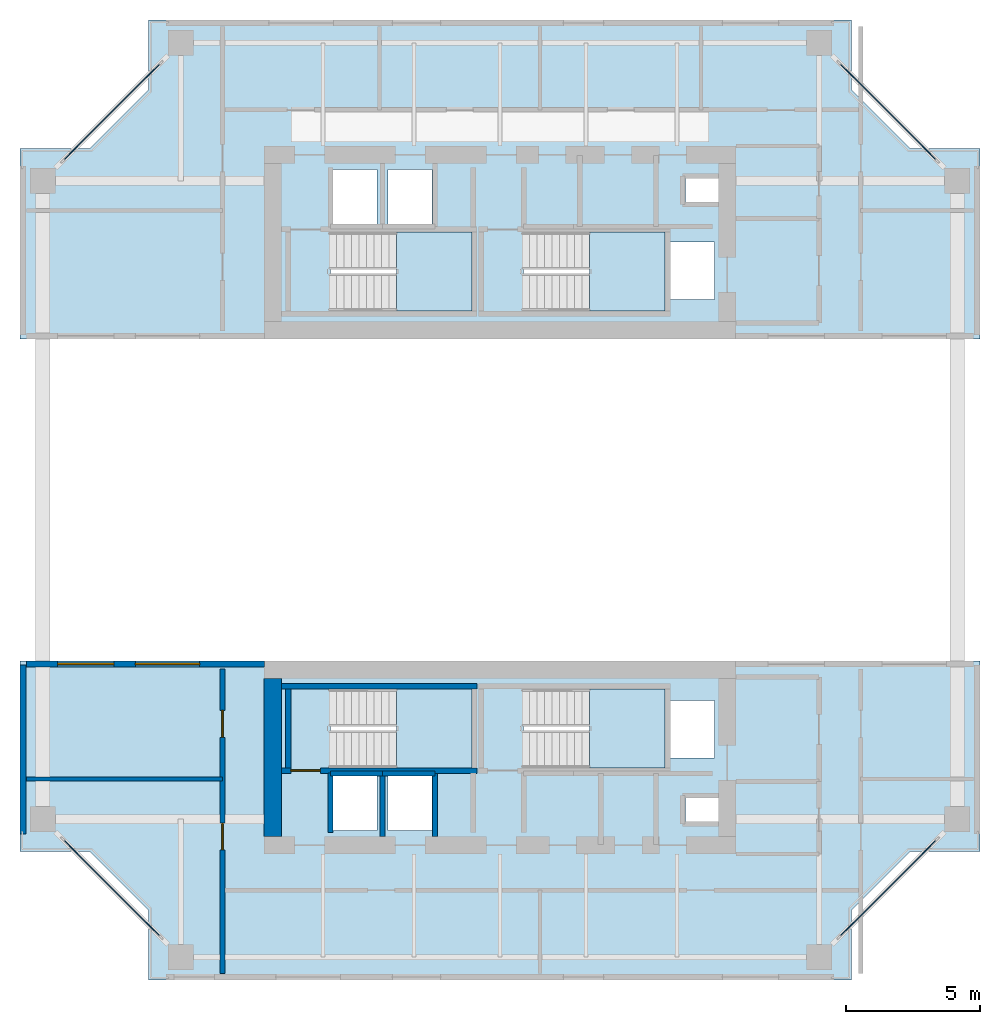
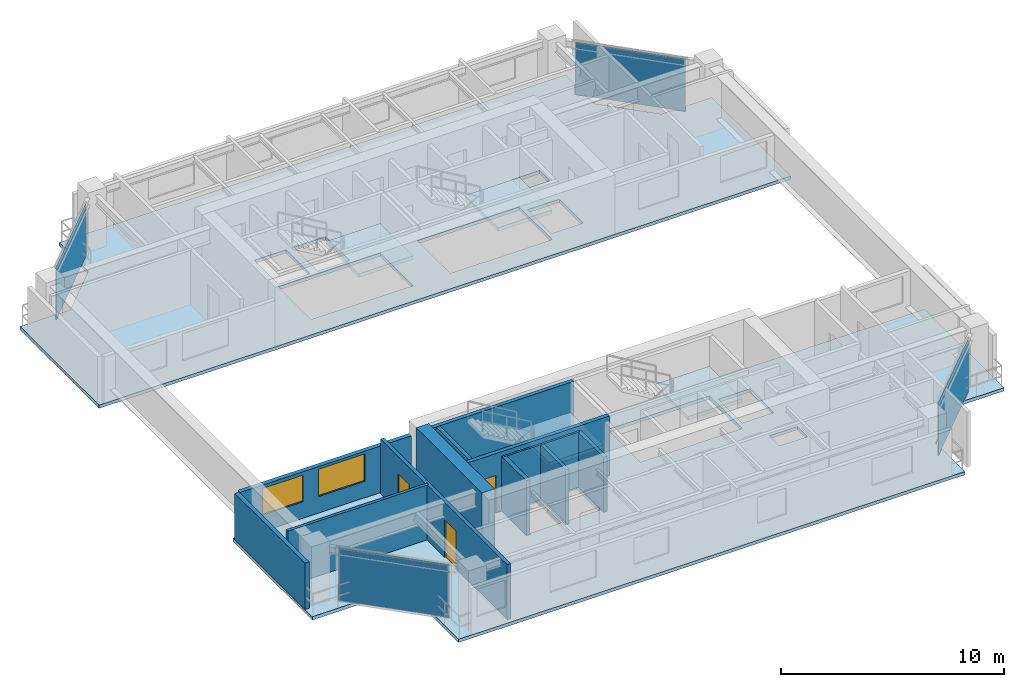
# One storey, part 6 of 12: 13 walls, 6 slabs, 4 plates, 3 doors, 2 windows, 5 openings, 8 elements without a shape of their own.
"""IFC4 building model written with IfcOpenShell, lengths in metres."""

import ifcopenshell
import ifcopenshell.guid

model = None  # the IFC model being written
_history = None  # IfcOwnerHistory: only IFC2X3 demands one
_inside = {}  # id of a spatial element -> (the spatial element, [elements in it])
_under = {}  # id of a project, library or spatial element -> (it, [spatial elements below it])
_declared = {}  # id of a project -> (the project, [libraries it declares])
_typed = {}  # id of a type object -> (the type object, [elements of that type])
_made_of = {}  # id of a material, layer set ... -> (it, [elements and type objects made of it])


def new_model(schema):
    """Start an empty IFC model of exactly this schema.

    Asked for "IFC4X3", IfcOpenShell would pick the latest addendum, in which some entities
    have other attributes; the version numbers below select the first issue.
    IFC2X3 requires an IfcOwnerHistory on every rooted entity: one is made here for all.
    """
    global model, _history
    if schema == "IFC4X3":
        model = ifcopenshell.file(schema_version=(4, 3, 0, 0))
    else:
        model = ifcopenshell.file(schema=schema)
    _inside.clear()
    _under.clear()
    _declared.clear()
    _typed.clear()
    _made_of.clear()
    _history = None
    if model.schema == "IFC2X3":
        org = make("IfcOrganization", Name="unknown")
        user = make(
            "IfcPersonAndOrganization",
            ThePerson=make("IfcPerson", FamilyName="unknown"),
            TheOrganization=org,
        )
        app = make(
            "IfcApplication",
            ApplicationDeveloper=org,
            Version="unknown",
            ApplicationFullName="unknown",
            ApplicationIdentifier="unknown",
        )
        _history = make(
            "IfcOwnerHistory",
            OwningUser=user,
            OwningApplication=app,
            ChangeAction="ADDED",
            CreationDate=0,
        )
    return model


def make(cls, **values):
    """One entity of the class cls with the attributes given. An attribute that is None is left unset."""
    return model.create_entity(
        cls, **{name: value for name, value in values.items() if value is not None}
    )


def rooted(cls, **values):
    """An entity with a GlobalId (a new one), such as an element, a storey or a relation."""
    return make(cls, GlobalId=ifcopenshell.guid.new(), OwnerHistory=_history, **values)


def si_unit(unit_type, name, prefix=None):
    """IfcSIUnit, for example si_unit("LENGTHUNIT", "METRE", prefix="MILLI")."""
    return make("IfcSIUnit", UnitType=unit_type, Prefix=prefix, Name=name)


def assignment(units):
    """IfcUnitAssignment: the units of a project."""
    return None if units is None else make("IfcUnitAssignment", Units=units)


def point(xyz):
    """IfcCartesianPoint."""
    return None if xyz is None else make("IfcCartesianPoint", Coordinates=xyz)


def direction(xyz):
    """IfcDirection."""
    return None if xyz is None else make("IfcDirection", DirectionRatios=xyz)


def frame(location, z_axis=None, x_axis=None):
    """IfcAxis2Placement3D, a coordinate frame: its origin and axes. An axis left out is left unset."""
    return make(
        "IfcAxis2Placement3D",
        Location=point(location),
        Axis=direction(z_axis),
        RefDirection=direction(x_axis),
    )


def frame_2d(location, x_axis=None):
    """IfcAxis2Placement2D, a coordinate frame in the plane: its origin and x axis."""
    return make(
        "IfcAxis2Placement2D", Location=point(location), RefDirection=direction(x_axis)
    )


def origin():
    """The frame at (0, 0, 0) with its axes left unset."""
    return frame((0.0, 0.0, 0.0))


def origin_2d():
    """The frame at (0, 0) in the plane with its x axis left unset."""
    return frame_2d((0.0, 0.0))


def place(relative_to, where):
    """IfcLocalPlacement: puts the frame where relative to a parent placement (None: the world)."""
    return make(
        "IfcLocalPlacement", PlacementRelTo=relative_to, RelativePlacement=where
    )


def context(
    kind, dimensions, precision=None, world=None, true_north=None, identifier=None
):
    """IfcGeometricRepresentationContext, for example the 3D "Model" context."""
    return make(
        "IfcGeometricRepresentationContext",
        ContextIdentifier=identifier,
        ContextType=kind,
        CoordinateSpaceDimension=dimensions,
        Precision=precision,
        WorldCoordinateSystem=world,
        TrueNorth=true_north,
    )


def subcontext(parent, identifier, kind, view, scale=None):
    """IfcGeometricRepresentationSubContext, for example "Body" below "Model"."""
    return make(
        "IfcGeometricRepresentationSubContext",
        ContextIdentifier=identifier,
        ContextType=kind,
        ParentContext=parent,
        TargetScale=scale,
        TargetView=view,
    )


def project(units=None, contexts=None):
    """IfcProject with its units and contexts."""
    return rooted(
        "IfcProject",
        Name="project",
        RepresentationContexts=contexts,
        UnitsInContext=assignment(units),
    )


def spatial(cls, under=None, at=None, **own):
    """A site, building, storey or space (cls), placed at a placement, below another one or the project."""
    s = rooted(cls, ObjectPlacement=at, **own)
    if under is not None:
        _under.setdefault(under.id(), (under, []))[1].append(s)
    return s


def polyline(points):
    """IfcPolyline through the points."""
    return make("IfcPolyline", Points=[point(p) for p in points])


def profile(cls, at=None, kind="AREA", **sizes):
    """A parametric profile (cls). Its sizes go by their IFC names, for example OverallWidth=200.0."""
    return make(cls, ProfileType=kind, Position=at, **sizes)


def rectangle(**sizes):
    """IfcRectangleProfileDef."""
    return profile("IfcRectangleProfileDef", **sizes)


def outline(outer, holes=None, kind="AREA"):
    """IfcArbitraryClosedProfileDef: a profile drawn as a closed curve; with holes, ...WithVoids."""
    if holes is None:
        return make("IfcArbitraryClosedProfileDef", ProfileType=kind, OuterCurve=outer)
    return make(
        "IfcArbitraryProfileDefWithVoids",
        ProfileType=kind,
        OuterCurve=outer,
        InnerCurves=holes,
    )


def extrude(swept, where, along, depth):
    """IfcExtrudedAreaSolid: the profile swept, set in the frame where, extruded along a direction by depth."""
    return make(
        "IfcExtrudedAreaSolid",
        SweptArea=swept,
        Position=where,
        ExtrudedDirection=direction(along),
        Depth=depth,
    )


def shape(context_of_items, identifier, shape_type, items):
    """IfcShapeRepresentation: the items that make up one representation, for example the "Body"."""
    return make(
        "IfcShapeRepresentation",
        ContextOfItems=context_of_items,
        RepresentationIdentifier=identifier,
        RepresentationType=shape_type,
        Items=items,
    )


def source(mapping_origin, context_of_items, identifier, shape_type, items):
    """IfcRepresentationMap: a shape defined once, which mapped items show again and again."""
    return make(
        "IfcRepresentationMap",
        MappingOrigin=mapping_origin,
        MappedRepresentation=shape(context_of_items, identifier, shape_type, items),
    )


def transform(
    local_origin,
    x_axis=None,
    y_axis=None,
    z_axis=None,
    scale=None,
    scale2=None,
    scale3=None,
    uniform=True,
):
    """IfcCartesianTransformationOperator3D, or its non-uniform kind. x_axis, y_axis, z_axis: its Axis1, 2, 3."""
    if uniform:
        return make(
            "IfcCartesianTransformationOperator3D",
            Axis1=direction(x_axis),
            Axis2=direction(y_axis),
            LocalOrigin=point(local_origin),
            Scale=scale,
            Axis3=direction(z_axis),
        )
    return make(
        "IfcCartesianTransformationOperator3DnonUniform",
        Axis1=direction(x_axis),
        Axis2=direction(y_axis),
        LocalOrigin=point(local_origin),
        Scale=scale,
        Axis3=direction(z_axis),
        Scale2=scale2,
        Scale3=scale3,
    )


def mapped(mapping_source, mapping_target):
    """IfcMappedItem: shows the shape of a source again, moved by a transform."""
    return make(
        "IfcMappedItem", MappingSource=mapping_source, MappingTarget=mapping_target
    )


def material(Name=None, Category=None):
    """IfcMaterial."""
    return make("IfcMaterial", Name=Name, Category=Category)


def layer(
    of_material, thickness, ventilated=None, Name=None, Category=None, Priority=None
):
    """IfcMaterialLayer: one layer of a wall or slab, of a material (None: an air gap)."""
    return make(
        "IfcMaterialLayer",
        Material=of_material,
        LayerThickness=thickness,
        IsVentilated=ventilated,
        Name=Name,
        Category=Category,
        Priority=Priority,
    )


def layer_set(layers, Name=None):
    """IfcMaterialLayerSet."""
    return make("IfcMaterialLayerSet", MaterialLayers=layers, LayerSetName=Name)


def made_of(thing, what):
    """Note that an element or type object is made of a material, layer set ...; save() writes the relation."""
    if what is not None:
        _made_of.setdefault(what.id(), (what, []))[1].append(thing)
    return thing


def type_object(cls, material=None, **own):
    """A type object (cls), such as IfcWallType, which elements share."""
    return made_of(rooted(cls, **own), material)


def element(
    cls,
    number,
    at=None,
    inside=None,
    cuts=None,
    type_object=None,
    material=None,
    context=None,
    identifier="Body",
    shape_type=None,
    held_by="IfcProductDefinitionShape",
    body=None,
    shapes=None,
    **own,
):
    """One element of the class cls, such as IfcWall. Its Tag is "e" and its number.

    at: its placement. inside: the storey or other place that contains it. cuts: it is an
    opening in that element (IfcRelVoidsElement). A single representation is given by context,
    identifier, shape_type and body (its items); several are given by shapes. held_by: the class
    of the entity that holds the representations. save() writes the other relations.
    """
    e = rooted(cls, Tag="e%d" % number, ObjectPlacement=at, **own)
    if body is not None:
        shapes = [shape(context, identifier, shape_type, body)]
    if shapes is not None:
        e.Representation = make(held_by, Representations=shapes)
    if inside is not None:
        _inside.setdefault(inside.id(), (inside, []))[1].append(e)
    if cuts is not None:
        rooted(
            "IfcRelVoidsElement", RelatingBuildingElement=cuts, RelatedOpeningElement=e
        )
    if type_object is not None:
        _typed.setdefault(type_object.id(), (type_object, []))[1].append(e)
    return made_of(e, material)


def fill(opening, filler):
    """IfcRelFillsElement: the door or window that sits in an opening."""
    return rooted(
        "IfcRelFillsElement",
        RelatingOpeningElement=opening,
        RelatedBuildingElement=filler,
    )


def aggregate(whole, parts):
    """IfcRelAggregates: a whole, such as a stair, and the parts it consists of."""
    return rooted("IfcRelAggregates", RelatingObject=whole, RelatedObjects=parts)


def save(model, path):
    """Write the relations noted so far, then the file.

    IfcRelAggregates (storeys below a building ...), IfcRelContainedInSpatialStructure (elements
    in a storey), IfcRelDefinesByType, IfcRelAssociatesMaterial and IfcRelDeclares: one each for
    every whole, place, type object, material and project.
    """
    for whole, parts in _under.values():
        aggregate(whole, parts)
    for where, things in _inside.values():
        rooted(
            "IfcRelContainedInSpatialStructure",
            RelatedElements=things,
            RelatingStructure=where,
        )
    for kind, things in _typed.values():
        rooted("IfcRelDefinesByType", RelatedObjects=things, RelatingType=kind)
    for what, things in _made_of.values():
        rooted("IfcRelAssociatesMaterial", RelatedObjects=things, RelatingMaterial=what)
    for by, libraries in _declared.values():
        rooted("IfcRelDeclares", RelatingContext=by, RelatedDefinitions=libraries)
    model.write(path)


model = new_model("IFC4")

# Units and contexts
model_context = context("Model", 3, precision=1e-05, world=origin(), true_north=direction((0.0, 1.0)))
body_context = subcontext(model_context, "Body", "Model", "MODEL_VIEW")
ifc_project = project(units=[si_unit("LENGTHUNIT", "METRE"), si_unit("AREAUNIT", "SQUARE_METRE"), si_unit("VOLUMEUNIT", "CUBIC_METRE"), si_unit("PLANEANGLEUNIT", "RADIAN"), si_unit("MASSUNIT", "GRAM", prefix="KILO"), si_unit("THERMODYNAMICTEMPERATUREUNIT", "KELVIN"), si_unit("POWERUNIT", "WATT")], contexts=[model_context])

# Site, building, storey
site_placement = place(None, origin())
site = spatial("IfcSite", under=ifc_project, at=site_placement, CompositionType="ELEMENT")
building_placement = place(site_placement, origin())
building = spatial("IfcBuilding", under=site, at=building_placement, Name="Qiaomeng Ring Towers", CompositionType="ELEMENT")
storey_placement = place(building_placement, frame((0.0, 0.0, 169.75)))
storey = spatial("IfcBuildingStorey", under=building, at=storey_placement, Name="L49", CompositionType="ELEMENT", Elevation=169.75)

# Slabs
ifc_material_1 = material(Name="Concrete C40", Category="concrete")
ifc_layer_1 = layer(ifc_material_1, 0.179931640625, Name="Concrete C40")
ifc_layer_set_1 = layer_set([ifc_layer_1], Name="Concrete C40")
slab_type_1 = type_object("IfcSlabType", Name="STR-SL-180", PredefinedType="FLOOR", material=ifc_layer_set_1)
slab_1_placement = place(storey_placement, frame((0.0, 0.0, -0.179931640625)))
element("IfcSlab", 1, at=slab_1_placement, inside=storey, type_object=slab_type_1, Name="L49 Tower 1 North Portal Wing Slab", PredefinedType="FLOOR", context=body_context, shape_type="SweptSolid", body=[
    extrude(outline(polyline([(1.10009765625, 36.10009765625), (3.699951171875, 36.10009765625), (5.89990234375, 38.300048828125), (5.89990234375, 40.89990234375), (32.10009765625, 40.89990234375), (32.10009765625, 38.300048828125), (34.300048828125, 36.10009765625), (36.89990234375, 36.10009765625), (36.89990234375, 29.0), (1.10009765625, 29.0), (1.10009765625, 36.10009765625)]), holes=[polyline([(17.949951171875, 30.050048828125), (12.679931640625, 30.050048828125), (12.679931640625, 32.989990234375), (17.949951171875, 32.989990234375), (17.949951171875, 30.050048828125)]), polyline([(19.8798828125, 30.050048828125), (19.8798828125, 32.989990234375), (25.14990234375, 32.989990234375), (25.14990234375, 30.050048828125), (19.8798828125, 30.050048828125)]), polyline([(25.360107421875, 30.47998046875), (25.360107421875, 32.6201171875), (27.0, 32.6201171875), (27.0, 30.47998046875), (25.360107421875, 30.47998046875)]), polyline([(14.419921875, 33.179931640625), (12.780029296875, 33.179931640625), (12.780029296875, 35.320068359375), (14.419921875, 35.320068359375), (14.419921875, 33.179931640625)]), polyline([(14.830078125, 33.179931640625), (14.830078125, 35.320068359375), (16.469970703125, 35.320068359375), (16.469970703125, 33.179931640625), (14.830078125, 33.179931640625)]), polyline([(25.919921875, 34.10009765625), (25.919921875, 35.0), (27.360107421875, 35.0), (27.360107421875, 34.10009765625), (25.919921875, 34.10009765625)])]), origin(), (0.0, 0.0, 1.0), 0.179931640625),
])
slab_2_placement = place(storey_placement, frame((0.0, 0.0, -0.179931640625)))
element("IfcSlab", 2, at=slab_2_placement, inside=storey, type_object=slab_type_1, Name="L49 Tower 1 South Portal Wing Slab", PredefinedType="FLOOR", context=body_context, shape_type="SweptSolid", body=[
    extrude(outline(polyline([(36.89990234375, 9.89990234375), (34.300048828125, 9.89990234375), (32.10009765625, 7.699951171875), (32.10009765625, 5.10009765625), (5.89990234375, 5.10009765625), (5.89990234375, 7.699951171875), (3.699951171875, 9.89990234375), (1.10009765625, 9.89990234375), (1.10009765625, 17.0), (36.89990234375, 17.0), (36.89990234375, 9.89990234375)]), holes=[polyline([(27.360107421875, 11.0), (25.919921875, 11.0), (25.919921875, 11.89990234375), (27.360107421875, 11.89990234375), (27.360107421875, 11.0)]), polyline([(12.780029296875, 10.679931640625), (12.780029296875, 12.820068359375), (14.419921875, 12.820068359375), (14.419921875, 10.679931640625), (12.780029296875, 10.679931640625)]), polyline([(14.830078125, 10.679931640625), (14.830078125, 12.820068359375), (16.469970703125, 12.820068359375), (16.469970703125, 10.679931640625), (14.830078125, 10.679931640625)]), polyline([(27.0, 13.3798828125), (25.360107421875, 13.3798828125), (25.360107421875, 15.52001953125), (27.0, 15.52001953125), (27.0, 13.3798828125)]), polyline([(12.679931640625, 13.010009765625), (12.679931640625, 15.949951171875), (17.949951171875, 15.949951171875), (17.949951171875, 13.010009765625), (12.679931640625, 13.010009765625)]), polyline([(19.8798828125, 13.010009765625), (19.8798828125, 15.949951171875), (25.14990234375, 15.949951171875), (25.14990234375, 13.010009765625), (19.8798828125, 13.010009765625)])]), origin(), (0.0, 0.0, 1.0), 0.179931640625),
])

# Stair, slab
ifc_material_2 = material(Name="Precast concrete C40", Category="concrete")
stair_type = type_object("IfcStairType", Name="ARC-ST-325", PredefinedType="HALF_TURN_STAIR", material=ifc_material_2)
stair_1_placement = place(storey_placement, origin())
stair_1 = element("IfcStair", 3, at=stair_1_placement, inside=storey, type_object=stair_type, Name="L49 Tower 1 North Stair 1", PredefinedType="HALF_TURN_STAIR")
ifc_layer_2 = layer(ifc_material_1, 0.199951171875, Name="Concrete C40")
ifc_layer_set_2 = layer_set([ifc_layer_2], Name="Concrete C40")
slab_type_2 = type_object("IfcSlabType", Name="STR-SL-LANDING", PredefinedType="LANDING", material=ifc_layer_set_2)
slab_3_placement = place(storey_placement, frame((0.0, 0.0, 1.425048828125)))
slab_3 = element("IfcSlab", 4, at=slab_3_placement, type_object=slab_type_2, Name="ST1 landing 1", PredefinedType="LANDING", context=body_context, shape_type="SweptSolid", body=[
    extrude(outline(polyline([(15.139892578125, 30.050048828125), (17.949951171875, 30.050048828125), (17.949951171875, 32.989990234375), (15.139892578125, 32.989990234375), (15.139892578125, 30.050048828125)])), origin(), (0.0, 0.0, 1.0), 0.199951171875),
])
aggregate(stair_1, [slab_3])

stair_2_placement = place(storey_placement, origin())
stair_2 = element("IfcStair", 5, at=stair_2_placement, inside=storey, type_object=stair_type, Name="L49 Tower 1 North Stair 2", PredefinedType="HALF_TURN_STAIR")
slab_4_placement = place(storey_placement, frame((0.0, 0.0, 1.425048828125)))
slab_4 = element("IfcSlab", 6, at=slab_4_placement, type_object=slab_type_2, Name="ST2 landing 1", PredefinedType="LANDING", context=body_context, shape_type="SweptSolid", body=[
    extrude(outline(polyline([(22.340087890625, 30.050048828125), (25.14990234375, 30.050048828125), (25.14990234375, 32.989990234375), (22.340087890625, 32.989990234375), (22.340087890625, 30.050048828125)])), origin(), (0.0, 0.0, 1.0), 0.199951171875),
])
aggregate(stair_2, [slab_4])

stair_3_placement = place(storey_placement, origin())
stair_3 = element("IfcStair", 7, at=stair_3_placement, inside=storey, type_object=stair_type, Name="L49 Tower 1 South Stair 3", PredefinedType="HALF_TURN_STAIR")
slab_5_placement = place(storey_placement, frame((0.0, 0.0, 1.425048828125)))
slab_5 = element("IfcSlab", 8, at=slab_5_placement, type_object=slab_type_2, Name="ST3 landing 1", PredefinedType="LANDING", context=body_context, shape_type="SweptSolid", body=[
    extrude(outline(polyline([(15.139892578125, 13.010009765625), (17.949951171875, 13.010009765625), (17.949951171875, 15.949951171875), (15.139892578125, 15.949951171875), (15.139892578125, 13.010009765625)])), origin(), (0.0, 0.0, 1.0), 0.199951171875),
])
aggregate(stair_3, [slab_5])

stair_4_placement = place(storey_placement, origin())
stair_4 = element("IfcStair", 9, at=stair_4_placement, inside=storey, type_object=stair_type, Name="L49 Tower 1 South Stair 4", PredefinedType="HALF_TURN_STAIR")
slab_6_placement = place(storey_placement, frame((0.0, 0.0, 1.425048828125)))
slab_6 = element("IfcSlab", 10, at=slab_6_placement, type_object=slab_type_2, Name="ST4 landing 1", PredefinedType="LANDING", context=body_context, shape_type="SweptSolid", body=[
    extrude(outline(polyline([(22.340087890625, 13.010009765625), (25.14990234375, 13.010009765625), (25.14990234375, 15.949951171875), (22.340087890625, 15.949951171875), (22.340087890625, 13.010009765625)])), origin(), (0.0, 0.0, 1.0), 0.199951171875),
])
aggregate(stair_4, [slab_6])

# Curtain wall, plate
ifc_material_3 = material(Name="Fluorocarbon dark-grey aluminium", Category="aluminium")
ifc_layer_3 = layer(ifc_material_3, 0.14990234375, Name="Fluorocarbon dark-grey aluminium")
ifc_layer_set_3 = layer_set([ifc_layer_3], Name="Fluorocarbon dark-grey aluminium")
curtain_wall_type = type_object("IfcCurtainWallType", Name="ARC-CW-3", PredefinedType="NOTDEFINED", material=ifc_layer_set_3)
curtain_wall_1_placement = place(storey_placement, origin())
curtain_wall_1 = element("IfcCurtainWall", 11, at=curtain_wall_1_placement, inside=storey, type_object=curtain_wall_type, Name="L49 Curtain Wall CW3", PredefinedType="NOTDEFINED")
ifc_material_4 = material(Name="Low-E dark-grey laminated double glazing", Category="glass")
ifc_layer_4 = layer(ifc_material_4, 0.028076171875, Name="Low-E dark-grey laminated double glazing")
ifc_layer_set_4 = layer_set([ifc_layer_4], Name="Low-E dark-grey laminated double glazing")
plate_type = type_object("IfcPlateType", Name="ARC-CWP-DARK", PredefinedType="CURTAIN_PANEL", material=ifc_layer_set_4)
shared_shape_1 = source(origin(), body_context, "Body", "SweptSolid", [
    extrude(rectangle(XDim=5.120849609375, YDim=0.028076171875, at=origin_2d()), origin(), (0.0, 0.0, 1.0), 2.8701171875),
])
plate_1_placement = place(storey_placement, frame((33.47509765625, 8.52490234375, 0.06494140625), z_axis=(0.0, 0.0, 1.0), x_axis=(0.707106781187, 0.707106781187, 0.0)))
plate_1 = element("IfcPlate", 12, at=plate_1_placement, type_object=plate_type, Name="CW3 panel 1.1", PredefinedType="CURTAIN_PANEL", context=body_context, shape_type="MappedRepresentation", body=[
    mapped(shared_shape_1, transform((0.0, 0.0, 0.0), x_axis=(1.0, 0.0, 0.0), y_axis=(0.0, 1.0, 0.0), z_axis=(0.0, 0.0, 1.0), scale=1.0)),
])
aggregate(curtain_wall_1, [plate_1])

curtain_wall_2_placement = place(storey_placement, origin())
curtain_wall_2 = element("IfcCurtainWall", 13, at=curtain_wall_2_placement, inside=storey, type_object=curtain_wall_type, Name="L49 Curtain Wall CW3", PredefinedType="NOTDEFINED")
plate_2_placement = place(storey_placement, frame((33.47509765625, 37.47509765625, 0.06494140625), z_axis=(0.0, 0.0, 1.0), x_axis=(-0.707106781187, 0.707106781187, 0.0)))
plate_2 = element("IfcPlate", 14, at=plate_2_placement, type_object=plate_type, Name="CW3 panel 1.1", PredefinedType="CURTAIN_PANEL", context=body_context, shape_type="MappedRepresentation", body=[
    mapped(shared_shape_1, transform((0.0, 0.0, 0.0), x_axis=(1.0, 0.0, 0.0), y_axis=(0.0, 1.0, 0.0), z_axis=(0.0, 0.0, 1.0), scale=1.0)),
])
aggregate(curtain_wall_2, [plate_2])

curtain_wall_3_placement = place(storey_placement, origin())
curtain_wall_3 = element("IfcCurtainWall", 15, at=curtain_wall_3_placement, inside=storey, type_object=curtain_wall_type, Name="L49 Curtain Wall CW3", PredefinedType="NOTDEFINED")
plate_3_placement = place(storey_placement, frame((4.52490234375, 37.47509765625, 0.06494140625), z_axis=(0.0, 0.0, 1.0), x_axis=(-0.707106781187, -0.707106781187, 0.0)))
plate_3 = element("IfcPlate", 16, at=plate_3_placement, type_object=plate_type, Name="CW3 panel 1.1", PredefinedType="CURTAIN_PANEL", context=body_context, shape_type="MappedRepresentation", body=[
    mapped(shared_shape_1, transform((0.0, 0.0, 0.0), x_axis=(1.0, 0.0, 0.0), y_axis=(0.0, 1.0, 0.0), z_axis=(0.0, 0.0, 1.0), scale=1.0)),
])
aggregate(curtain_wall_3, [plate_3])

curtain_wall_4_placement = place(storey_placement, origin())
curtain_wall_4 = element("IfcCurtainWall", 17, at=curtain_wall_4_placement, inside=storey, type_object=curtain_wall_type, Name="L49 Curtain Wall CW3", PredefinedType="NOTDEFINED")
plate_4_placement = place(storey_placement, frame((4.52490234375, 8.52490234375, 0.06494140625), z_axis=(0.0, 0.0, 1.0), x_axis=(0.707106781187, -0.707106781187, 0.0)))
plate_4 = element("IfcPlate", 18, at=plate_4_placement, type_object=plate_type, Name="CW3 panel 1.1", PredefinedType="CURTAIN_PANEL", context=body_context, shape_type="MappedRepresentation", body=[
    mapped(shared_shape_1, transform((0.0, 0.0, 0.0), x_axis=(1.0, 0.0, 0.0), y_axis=(0.0, 1.0, 0.0), z_axis=(0.0, 0.0, 1.0), scale=1.0)),
])
aggregate(curtain_wall_4, [plate_4])

# Wall, openings, windows
ifc_layer_5 = layer(ifc_material_2, 0.219970703125, Name="Precast concrete C40")
ifc_layer_set_5 = layer_set([ifc_layer_5], Name="Precast concrete C40")
wall_type_1 = type_object("IfcWallType", Name="ARC-WL-EW2", PredefinedType="STANDARD", material=ifc_layer_set_5)
wall_1_placement = place(storey_placement, frame((1.35009765625, 16.889892578125, 0.0), z_axis=(0.0, 0.0, 1.0), x_axis=(1.0, 0.0, 0.0)))
wall_1 = element("IfcWall", 19, at=wall_1_placement, inside=storey, type_object=wall_type_1, Name="L49 Portal Wing Wall SWING-W", PredefinedType="STANDARD", context=body_context, shape_type="SweptSolid", body=[
    extrude(rectangle(XDim=8.869873046875, YDim=0.219970703125, at=frame_2d((4.43505859375, 0.0))), origin(), (0.0, 0.0, 1.0), 2.5400390625),
])
opening_1_placement = place(wall_1_placement, frame((1.14990234375, 0.0, 0.89990234375)))
opening_1 = element("IfcOpeningElement", 20, at=opening_1_placement, cuts=wall_1, Name="Opening WN4", PredefinedType="OPENING", context=body_context, shape_type="SweptSolid", body=[
    extrude(rectangle(XDim=2.10009765625, YDim=1.4599609375, at=frame_2d((1.050048828125, 0.72998046875))), frame((0.0, 0.119873046875, 0.0), z_axis=(0.0, -1.0, 0.0), x_axis=(1.0, 0.0, 0.0)), (0.0, 0.0, 1.0), 0.239990234375),
])
opening_2_placement = place(wall_1_placement, frame((4.050048828125, 0.0, 0.89990234375)))
opening_2 = element("IfcOpeningElement", 21, at=opening_2_placement, cuts=wall_1, Name="Opening WN6", PredefinedType="OPENING", context=body_context, shape_type="SweptSolid", body=[
    extrude(rectangle(XDim=2.39990234375, YDim=1.5, at=frame_2d((1.199951171875, 0.75))), frame((0.0, 0.119873046875, 0.0), z_axis=(0.0, -1.0, 0.0), x_axis=(1.0, 0.0, 0.0)), (0.0, 0.0, 1.0), 0.239990234375),
])
window_type_1 = type_object("IfcWindowType", Name="ARC-WN-6", PartitioningType="TRIPLE_PANEL_VERTICAL", PredefinedType="WINDOW", material=ifc_material_4)
shared_shape_2 = source(origin(), body_context, "Body", "SweptSolid", [
    extrude(rectangle(XDim=2.39990234375, YDim=1.5, at=frame_2d((1.199951171875, 0.75))), frame((0.0, 0.030029296875, 0.0), z_axis=(0.0, -1.0, 0.0), x_axis=(1.0, 0.0, 0.0)), (0.0, 0.0, 1.0), 0.06005859375),
])
window_1_placement = place(opening_2_placement, origin())
window_1 = element("IfcWindow", 22, at=window_1_placement, inside=storey, type_object=window_type_1, Name="L49 Exterior Window WN6", OverallHeight=1.5, OverallWidth=2.39990234375, PartitioningType="TRIPLE_PANEL_VERTICAL", PredefinedType="WINDOW", context=body_context, shape_type="MappedRepresentation", body=[
    mapped(shared_shape_2, transform((0.0, 0.0, 0.0), x_axis=(1.0, 0.0, 0.0), y_axis=(0.0, 1.0, 0.0), z_axis=(0.0, 0.0, 1.0), scale=1.0)),
])
fill(opening_2, window_1)
window_type_2 = type_object("IfcWindowType", Name="ARC-WN-4", PartitioningType="TRIPLE_PANEL_VERTICAL", PredefinedType="WINDOW", material=ifc_material_4)
shared_shape_3 = source(origin(), body_context, "Body", "SweptSolid", [
    extrude(rectangle(XDim=2.10009765625, YDim=1.4599609375, at=frame_2d((1.050048828125, 0.72998046875))), frame((0.0, 0.030029296875, 0.0), z_axis=(0.0, -1.0, 0.0), x_axis=(1.0, 0.0, 0.0)), (0.0, 0.0, 1.0), 0.06005859375),
])
window_2_placement = place(opening_1_placement, origin())
window_2 = element("IfcWindow", 23, at=window_2_placement, inside=storey, type_object=window_type_2, Name="L49 Exterior Window WN4", OverallHeight=1.4599609375, OverallWidth=2.10009765625, PartitioningType="TRIPLE_PANEL_VERTICAL", PredefinedType="WINDOW", context=body_context, shape_type="MappedRepresentation", body=[
    mapped(shared_shape_3, transform((0.0, 0.0, 0.0), x_axis=(1.0, 0.0, 0.0), y_axis=(0.0, 1.0, 0.0), z_axis=(0.0, 0.0, 1.0), scale=1.0)),
])
fill(opening_1, window_2)

# Walls
wall_2_placement = place(storey_placement, frame((1.2099609375, 10.550048828125, 0.0), z_axis=(0.0, 0.0, 1.0), x_axis=(0.0, 1.0, 0.0)))
element("IfcWall", 24, at=wall_2_placement, inside=storey, type_object=wall_type_1, Name="L49 Portal Wing Side Wall SWING-WL", PredefinedType="STANDARD", context=body_context, shape_type="SweptSolid", body=[
    extrude(rectangle(XDim=6.300048828125, YDim=0.219970703125, at=frame_2d((3.14990234375, 0.0))), origin(), (0.0, 0.0, 1.0), 2.5400390625),
])
ifc_material_5 = material(Name="Autoclaved aerated concrete block", Category="concrete")
ifc_layer_6 = layer(ifc_material_5, 0.199951171875, Name="Autoclaved aerated concrete block")
ifc_layer_set_6 = layer_set([ifc_layer_6], Name="Autoclaved aerated concrete block")
wall_type_2 = type_object("IfcWallType", Name="ARC-WL-PW1", PredefinedType="PARTITIONING", material=ifc_layer_set_6)
wall_3_placement = place(storey_placement, frame((12.679931640625, 10.60009765625, 0.0), z_axis=(0.0, 0.0, 1.0), x_axis=(0.0, 1.0, 0.0)))
element("IfcWall", 25, at=wall_3_placement, inside=storey, type_object=wall_type_2, Name="L49 Interior Wall PW1", PredefinedType="PARTITIONING", context=body_context, shape_type="SweptSolid", body=[
    extrude(rectangle(XDim=2.2099609375, YDim=0.199951171875, at=frame_2d((1.10498046875, 0.0))), origin(), (0.0, 0.0, 1.0), 3.0),
])

# Wall, openings, doors
ifc_layer_7 = layer(ifc_material_5, 0.179931640625, Name="Autoclaved aerated concrete block")
ifc_layer_set_7 = layer_set([ifc_layer_7], Name="Autoclaved aerated concrete block")
wall_type_3 = type_object("IfcWallType", Name="ARC-WL-PW2", PredefinedType="PARTITIONING", material=ifc_layer_set_7)
wall_4_placement = place(storey_placement, frame((8.64990234375, 5.35009765625, 0.0), z_axis=(0.0, 0.0, 1.0), x_axis=(0.0, 1.0, 0.0)))
wall_4 = element("IfcWall", 26, at=wall_4_placement, inside=storey, type_object=wall_type_3, Name="L49 Interior Wall PW2", PredefinedType="PARTITIONING", context=body_context, shape_type="SweptSolid", body=[
    extrude(rectangle(XDim=11.349853515625, YDim=0.179931640625, at=frame_2d((5.6748046875, 0.0))), origin(), (0.0, 0.0, 1.0), 3.0),
])
opening_3_placement = place(wall_4_placement, frame((4.60009765625, 0.0, 0.0)))
opening_3 = element("IfcOpeningElement", 27, at=opening_3_placement, cuts=wall_4, Name="Opening FD4", PredefinedType="OPENING", context=body_context, shape_type="SweptSolid", body=[
    extrude(rectangle(XDim=1.0, YDim=2.050048828125, at=frame_2d((0.5, 1.02490234375))), frame((0.0, 0.099853515625, 0.0), z_axis=(0.0, -1.0, 0.0), x_axis=(1.0, 0.0, 0.0)), (0.0, 0.0, 1.0), 0.199951171875),
])
opening_4_placement = place(wall_4_placement, frame((8.800048828125, 0.0, 0.0)))
opening_4 = element("IfcOpeningElement", 28, at=opening_4_placement, cuts=wall_4, Name="Opening FD4", PredefinedType="OPENING", context=body_context, shape_type="SweptSolid", body=[
    extrude(rectangle(XDim=1.0, YDim=2.050048828125, at=frame_2d((0.5, 1.02490234375))), frame((0.0, 0.099853515625, 0.0), z_axis=(0.0, -1.0, 0.0), x_axis=(1.0, 0.0, 0.0)), (0.0, 0.0, 1.0), 0.199951171875),
])
ifc_material_6 = material(Name="Engineered fire-rated oak timber", Category="wood")
door_type_1 = type_object("IfcDoorType", Name="ARC-DR-FD4", OperationType="NOTDEFINED", PredefinedType="DOOR", material=ifc_material_6)
shared_shape_4 = source(origin(), body_context, "Body", "SweptSolid", [
    extrude(rectangle(XDim=1.0, YDim=2.050048828125, at=frame_2d((0.5, 1.02490234375))), frame((0.0, 0.02490234375, 0.0), z_axis=(0.0, -1.0, 0.0), x_axis=(1.0, 0.0, 0.0)), (0.0, 0.0, 1.0), 0.050048828125),
])
door_1_placement = place(opening_3_placement, origin())
door_1 = element("IfcDoor", 29, at=door_1_placement, inside=storey, type_object=door_type_1, Name="L49 Door FD4", OperationType="SINGLE_SWING_RIGHT", OverallHeight=2.050048828125, OverallWidth=1.0, PredefinedType="DOOR", context=body_context, shape_type="MappedRepresentation", body=[
    mapped(shared_shape_4, transform((0.0, 0.0, 0.0), x_axis=(1.0, 0.0, 0.0), y_axis=(0.0, 1.0, 0.0), z_axis=(0.0, 0.0, 1.0), scale=1.0)),
])
fill(opening_3, door_1)
door_2_placement = place(opening_4_placement, origin())
door_2 = element("IfcDoor", 30, at=door_2_placement, inside=storey, type_object=door_type_1, Name="L49 Door FD4", OperationType="SINGLE_SWING_LEFT", OverallHeight=2.050048828125, OverallWidth=1.0, PredefinedType="DOOR", context=body_context, shape_type="MappedRepresentation", body=[
    mapped(shared_shape_4, transform((0.0, 0.0, 0.0), x_axis=(1.0, 0.0, 0.0), y_axis=(0.0, 1.0, 0.0), z_axis=(0.0, 0.0, 1.0), scale=1.0)),
])
fill(opening_4, door_2)

# Walls
ifc_material_7 = material(Name="Gypsum fireboard steel-stud partition", Category="steel")
ifc_layer_8 = layer(ifc_material_7, 0.14990234375, Name="Gypsum fireboard steel-stud partition")
ifc_layer_set_8 = layer_set([ifc_layer_8], Name="Gypsum fireboard steel-stud partition")
wall_type_4 = type_object("IfcWallType", Name="ARC-WL-PW3", PredefinedType="PARTITIONING", material=ifc_layer_set_8)
wall_5_placement = place(storey_placement, frame((1.35009765625, 12.60009765625, 0.0), z_axis=(0.0, 0.0, 1.0), x_axis=(1.0, 0.0, 0.0)))
element("IfcWall", 31, at=wall_5_placement, inside=storey, type_object=wall_type_4, Name="L49 Interior Wall PW3", PredefinedType="PARTITIONING", context=body_context, shape_type="SweptSolid", body=[
    extrude(rectangle(XDim=7.2998046875, YDim=0.14990234375, at=frame_2d((3.64990234375, 0.0))), origin(), (0.0, 0.0, 1.0), 3.0),
])
ifc_layer_9 = layer(ifc_material_1, 0.199951171875, Name="Concrete C40")
ifc_layer_set_9 = layer_set([ifc_layer_9], Name="Concrete C40")
wall_type_5 = type_object("IfcWallType", Name="STR-WL-STSHAFT", PredefinedType="SHEAR", material=ifc_layer_set_9)
wall_6_placement = place(storey_placement, frame((12.679931640625, 12.800048828125, 0.0), z_axis=(0.0, 0.0, 1.0), x_axis=(1.0, 0.0, 0.0)))
element("IfcWall", 32, at=wall_6_placement, inside=storey, type_object=wall_type_5, Name="L49 Lift LP6 Shaft Back Wall", PredefinedType="SHEAR", context=body_context, shape_type="SweptSolid", body=[
    extrude(rectangle(XDim=1.940185546875, YDim=0.179931640625, at=frame_2d((0.97021484375, 0.0))), origin(), (0.0, 0.0, 1.0), 3.0),
])
wall_7_placement = place(storey_placement, frame((14.6201171875, 10.449951171875, 0.0), z_axis=(0.0, 0.0, 1.0), x_axis=(0.0, 1.0, 0.0)))
element("IfcWall", 33, at=wall_7_placement, inside=storey, type_object=wall_type_5, Name="L49 Lift LP6-LP4 Shaft Divider Wall", PredefinedType="SHEAR", context=body_context, shape_type="SweptSolid", body=[
    extrude(rectangle(XDim=2.35009765625, YDim=0.179931640625, at=frame_2d((1.175048828125, 0.0))), origin(), (0.0, 0.0, 1.0), 3.0),
])
wall_8_placement = place(storey_placement, frame((14.6201171875, 12.800048828125, 0.0), z_axis=(0.0, 0.0, 1.0), x_axis=(1.0, 0.0, 0.0)))
element("IfcWall", 34, at=wall_8_placement, inside=storey, type_object=wall_type_5, Name="L49 Lift LP4 Shaft Back Wall", PredefinedType="SHEAR", context=body_context, shape_type="SweptSolid", body=[
    extrude(rectangle(XDim=1.9599609375, YDim=0.179931640625, at=frame_2d((0.97998046875, 0.0))), origin(), (0.0, 0.0, 1.0), 3.0),
])
wall_9_placement = place(storey_placement, frame((16.580078125, 10.449951171875, 0.0), z_axis=(0.0, 0.0, 1.0), x_axis=(0.0, 1.0, 0.0)))
element("IfcWall", 35, at=wall_9_placement, inside=storey, type_object=wall_type_5, Name="L49 Lift LP4 East Shaft Wall", PredefinedType="SHEAR", context=body_context, shape_type="SweptSolid", body=[
    extrude(rectangle(XDim=2.35009765625, YDim=0.179931640625, at=frame_2d((1.175048828125, 0.0))), origin(), (0.0, 0.0, 1.0), 3.0),
])

# Wall, opening, door
wall_10_placement = place(storey_placement, frame((10.85009765625, 12.909912109375, 0.0), z_axis=(0.0, 0.0, 1.0), x_axis=(1.0, 0.0, 0.0)))
wall_10 = element("IfcWall", 36, at=wall_10_placement, inside=storey, type_object=wall_type_5, Name="L49 Stair ST3 South Shaft Shear Wall", PredefinedType="SHEAR", context=body_context, shape_type="SweptSolid", body=[
    extrude(rectangle(XDim=7.2998046875, YDim=0.199951171875, at=frame_2d((3.64990234375, 0.0))), origin(), (0.0, 0.0, 1.0), 3.25),
])
opening_5_placement = place(wall_10_placement, frame((0.35009765625, 0.0, 0.0)))
opening_5 = element("IfcOpeningElement", 37, at=opening_5_placement, cuts=wall_10, Name="Opening FD3", PredefinedType="OPENING", context=body_context, shape_type="SweptSolid", body=[
    extrude(rectangle(XDim=1.10009765625, YDim=2.050048828125, at=frame_2d((0.550048828125, 1.02490234375))), frame((0.0, 0.10986328125, 0.0), z_axis=(0.0, -1.0, 0.0), x_axis=(1.0, 0.0, 0.0)), (0.0, 0.0, 1.0), 0.219970703125),
])
ifc_material_8 = material(Name="Galvanised steel", Category="steel")
door_type_2 = type_object("IfcDoorType", Name="ARC-DR-FD3", OperationType="NOTDEFINED", PredefinedType="DOOR", material=ifc_material_8)
shared_shape_5 = source(origin(), body_context, "Body", "SweptSolid", [
    extrude(rectangle(XDim=1.10009765625, YDim=2.050048828125, at=frame_2d((0.550048828125, 1.02490234375))), frame((0.0, 0.02490234375, 0.0), z_axis=(0.0, -1.0, 0.0), x_axis=(1.0, 0.0, 0.0)), (0.0, 0.0, 1.0), 0.050048828125),
])
door_3_placement = place(opening_5_placement, frame((1.10009765625, 0.0, 0.0), z_axis=(0.0, 0.0, 1.0), x_axis=(-1.0, 0.0, 0.0)))
door_3 = element("IfcDoor", 38, at=door_3_placement, inside=storey, type_object=door_type_2, Name="L49 Stair ST3 Exit Door", OperationType="SINGLE_SWING_LEFT", OverallHeight=2.050048828125, OverallWidth=1.10009765625, PredefinedType="DOOR", context=body_context, shape_type="MappedRepresentation", body=[
    mapped(shared_shape_5, transform((0.0, 0.0, 0.0), x_axis=(1.0, 0.0, 0.0), y_axis=(0.0, 1.0, 0.0), z_axis=(0.0, 0.0, 1.0), scale=1.0)),
])
fill(opening_5, door_3)

# Walls
wall_11_placement = place(storey_placement, frame((10.85009765625, 16.050048828125, 0.0), z_axis=(0.0, 0.0, 1.0), x_axis=(1.0, 0.0, 0.0)))
element("IfcWall", 39, at=wall_11_placement, inside=storey, type_object=wall_type_5, Name="L49 Stair ST3 North Shaft Shear Wall", PredefinedType="SHEAR", context=body_context, shape_type="SweptSolid", body=[
    extrude(rectangle(XDim=7.2998046875, YDim=0.199951171875, at=frame_2d((3.64990234375, 0.0))), origin(), (0.0, 0.0, 1.0), 3.25),
])
wall_12_placement = place(storey_placement, frame((11.10009765625, 13.010009765625, 0.0), z_axis=(0.0, 0.0, 1.0), x_axis=(0.0, 1.0, 0.0)))
element("IfcWall", 40, at=wall_12_placement, inside=storey, type_object=wall_type_5, Name="L49 Stair ST3 West Shaft Shear Wall", PredefinedType="SHEAR", context=body_context, shape_type="SweptSolid", body=[
    extrude(rectangle(XDim=2.93994140625, YDim=0.199951171875, at=frame_2d((1.469970703125, 0.0))), origin(), (0.0, 0.0, 1.0), 3.25),
])
ifc_material_9 = material(Name="Concrete C50", Category="concrete")
ifc_layer_10 = layer(ifc_material_9, 0.64990234375, Name="Concrete C50")
ifc_layer_set_10 = layer_set([ifc_layer_10], Name="Concrete C50")
wall_type_6 = type_object("IfcWallType", Name="STR-WL-SW2B", PredefinedType="SHEAR", material=ifc_layer_set_10)
wall_13_placement = place(storey_placement, frame((10.52490234375, 10.449951171875, 0.0), z_axis=(0.0, 0.0, 1.0), x_axis=(0.0, 1.0, 0.0)))
element("IfcWall", 41, at=wall_13_placement, inside=storey, type_object=wall_type_6, Name="L49 T1SC west core shear wall", PredefinedType="SHEAR", context=body_context, shape_type="SweptSolid", body=[
    extrude(rectangle(XDim=5.900146484375, YDim=0.64990234375, at=frame_2d((2.9501953125, 0.0))), origin(), (0.0, 0.0, 1.0), 3.25),
])

save(model, "model.ifc")
